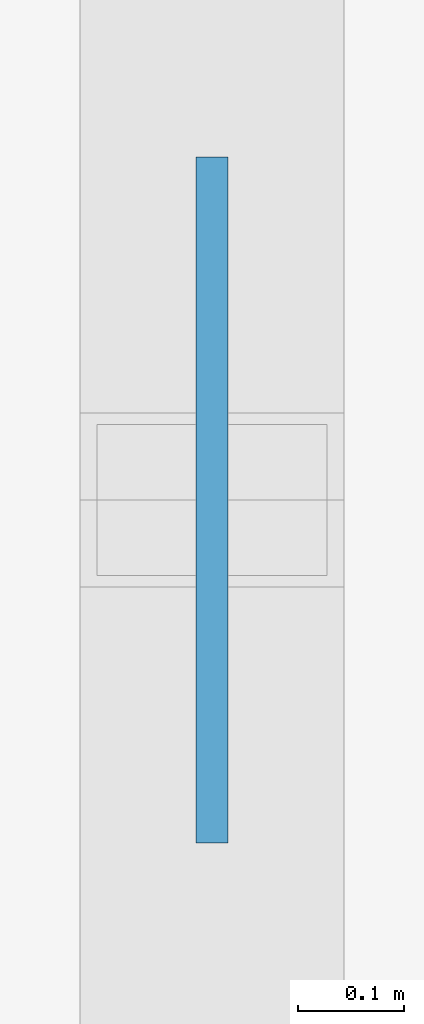
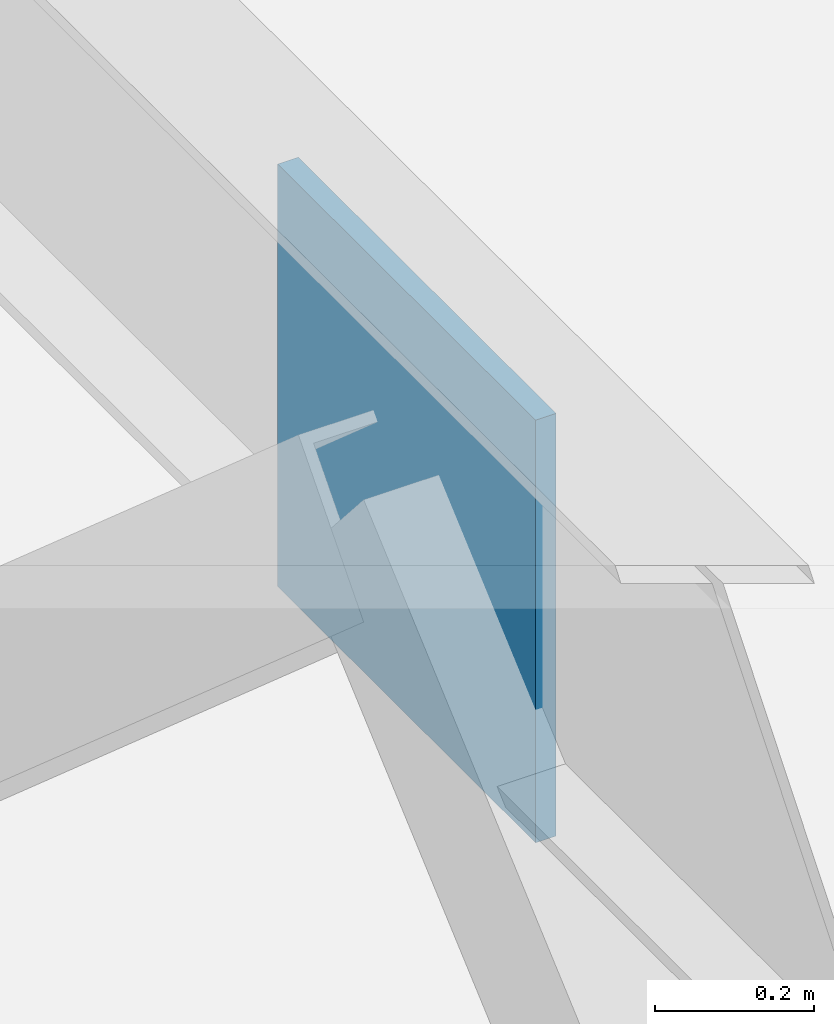
# One storey, part 36 of 48: 1 plate.
"""IFC4 building model written with IfcOpenShell, lengths in metres."""

from ifc_helpers import new_model, si_unit, direction, frame, origin, origin_2d, place, context, subcontext, project, spatial, rectangle, extrude, material, layer, layer_set, type_object, element, save


model = new_model("IFC4")

# Units and contexts
model_context = context("Model", 3, precision=1e-05, world=origin(), true_north=direction((0.0, 1.0)))
body_context = subcontext(model_context, "Body", "Model", "MODEL_VIEW")
ifc_project = project(units=[si_unit("LENGTHUNIT", "METRE"), si_unit("AREAUNIT", "SQUARE_METRE"), si_unit("VOLUMEUNIT", "CUBIC_METRE"), si_unit("PLANEANGLEUNIT", "RADIAN"), si_unit("MASSUNIT", "GRAM", prefix="KILO")], contexts=[model_context])

# Site, building, storey
site_placement = place(None, origin())
site = spatial("IfcSite", under=ifc_project, at=site_placement, CompositionType="ELEMENT")
building_placement = place(site_placement, origin())
building = spatial("IfcBuilding", under=site, at=building_placement, Name="Varnela Railside Interchange", CompositionType="ELEMENT")
storey_placement = place(building_placement, frame((0.0, 0.0, 11.199951171875)))
storey = spatial("IfcBuildingStorey", under=building, at=storey_placement, Name="L02", CompositionType="ELEMENT", Elevation=11.199951171875)

# Plate
ifc_material = material(Name="Steel AR 350 (350 MPa)", Category="steel")
ifc_layer = layer(ifc_material, 0.64990234375)
ifc_layer_set = layer_set([ifc_layer], Name="Steel AR 350 (350 MPa)")
plate_type = type_object("IfcPlateType", Name="Brace Gusset Plate GP-01", PredefinedType="SHEET", material=ifc_layer_set)
plate_placement = place(storey_placement, frame((124.0, 74.0, 3.3251953125), z_axis=(0.0, 0.0, 1.0), x_axis=(0.0, 1.0, 0.0)))
element("IfcPlate", 1, at=plate_placement, inside=storey, type_object=plate_type, Name="Brace Gusset Plate GP-01 (L02) (PL-024)", PredefinedType="SHEET", context=body_context, shape_type="SweptSolid", body=[
    extrude(rectangle(XDim=0.64990234375, YDim=0.030029296875, at=origin_2d()), origin(), (0.0, 0.0, 1.0), 0.64990234375),
])

save(model, "model.ifc")
